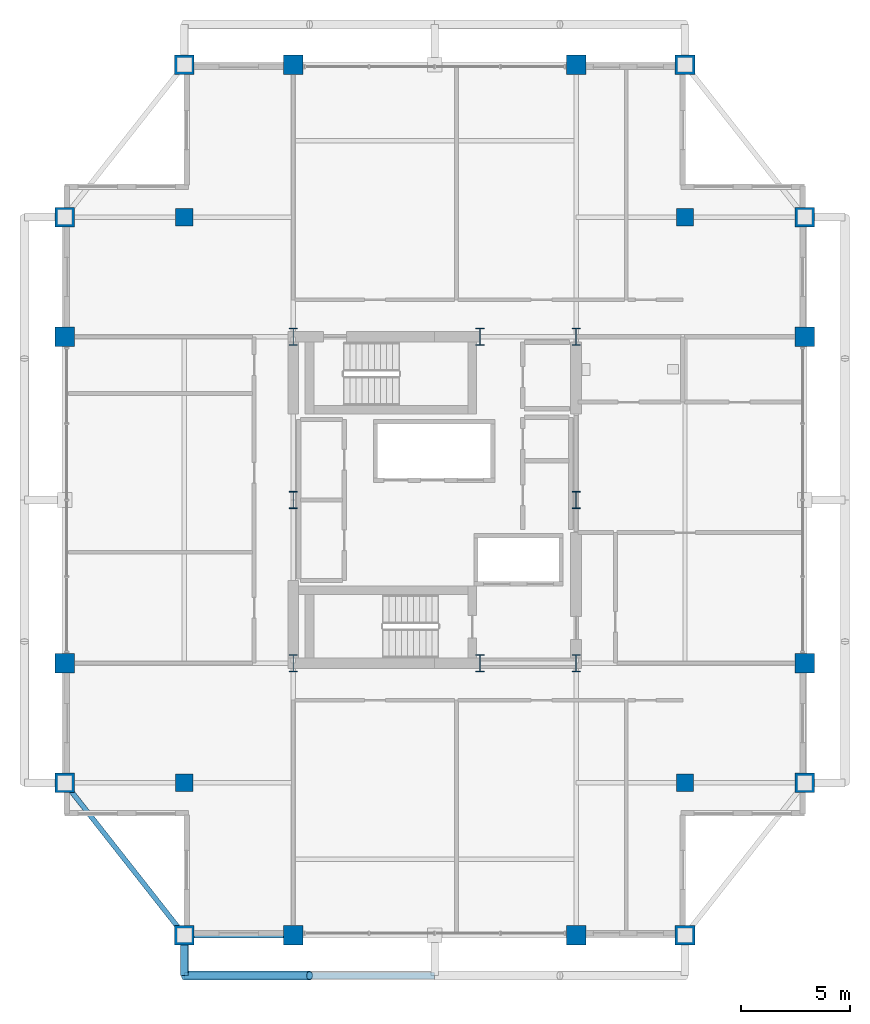
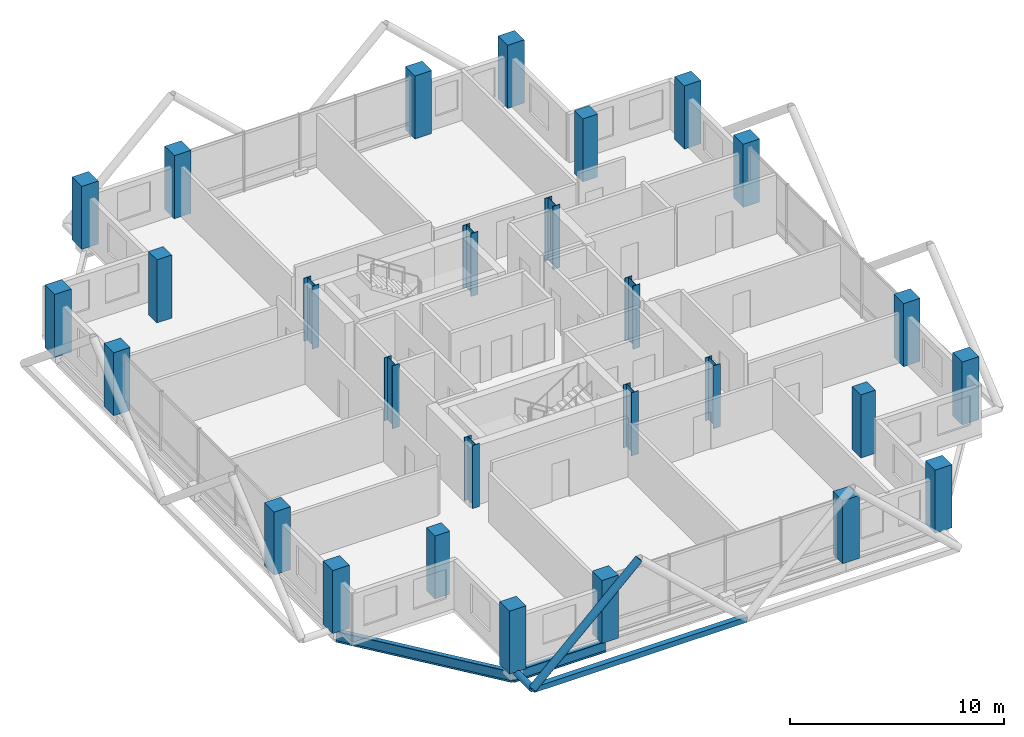
# One storey, part 1 of 24: 28 columns, 3 members, 2 beams.
"""IFC4 building model written with IfcOpenShell, lengths in metres."""

from ifc_helpers import new_model, si_unit, direction, frame, origin, origin_2d, place, context, subcontext, project, spatial, rectangle, hollow_rectangle, hollow_circle, i_section, extrude, material, material_profile, profile_set, type_object, element, save


model = new_model("IFC4")

# Units and contexts
model_context = context("Model", 3, precision=1e-05, world=origin(), true_north=direction((0.0, 1.0)))
body_context = subcontext(model_context, "Body", "Model", "MODEL_VIEW")
ifc_project = project(units=[si_unit("LENGTHUNIT", "METRE"), si_unit("AREAUNIT", "SQUARE_METRE"), si_unit("VOLUMEUNIT", "CUBIC_METRE"), si_unit("PLANEANGLEUNIT", "RADIAN"), si_unit("MASSUNIT", "GRAM", prefix="KILO")], contexts=[model_context])

# Site, building, storey
site_placement = place(None, origin())
site = spatial("IfcSite", under=ifc_project, at=site_placement, CompositionType="ELEMENT")
building_placement = place(site_placement, origin())
building = spatial("IfcBuilding", under=site, at=building_placement, Name="Barlavira Tower and Art Museum", CompositionType="ELEMENT")
storey_placement = place(building_placement, frame((0.0, 0.0, 272.699951171875)))
storey = spatial("IfcBuildingStorey", under=building, at=storey_placement, Name="L71", CompositionType="ELEMENT", Elevation=272.699951171875)

# Columns
ifc_material_1 = material(Name="Steel S355", Category="steel")
ifc_material_profile_1 = material_profile(ifc_material_1, i_section(OverallWidth=0.382080078125, OverallDepth=0.785888671875, WebThickness=0.02001953125, FlangeThickness=0.032958984375, at=origin_2d()), Name="W760x314.0")
ifc_profile_set_1 = profile_set([ifc_material_profile_1], Name="Steel S355")
column_type_1 = type_object("IfcColumnType", Name="Core Composite Column W760x314 Steel S355", PredefinedType="COLUMN", material=ifc_profile_set_1)
for number, where, z_axis, x_axis, name in (
    (1, (-6.5, -7.5, 0.0), (0.0, 0.0, 1.0), (1.0, 0.0, 0.0), "L71 Column CC-L71-C1"),
    (2, (2.080078125, -7.5, 0.0), (0.0, 0.0, 1.0), (1.0, 0.0, 0.0), "L71 Column CC-L71-C2"),
    (3, (6.5, -7.5, 0.0), (0.0, 0.0, 1.0), (1.0, 0.0, 0.0), "L71 Column CC-L71-C3"),
    (4, (-6.5, 0.0, 0.0), (0.0, 0.0, 1.0), (1.0, 0.0, 0.0), "L71 Column CC-L71-C4"),
    (5, (6.5, 0.0, 0.0), (0.0, 0.0, 1.0), (1.0, 0.0, 0.0), "L71 Column CC-L71-C5"),
    (6, (-6.5, 7.5, 0.0), (0.0, 0.0, 1.0), (1.0, 0.0, 0.0), "L71 Column CC-L71-C6"),
    (7, (2.080078125, 7.5, 0.0), (0.0, 0.0, 1.0), (1.0, 0.0, 0.0), "L71 Column CC-L71-C7"),
    (8, (6.5, 7.5, 0.0), (0.0, 0.0, 1.0), (1.0, 0.0, 0.0), "L71 Column CC-L71-C8"),
):
    element("IfcColumn", number, at=place(storey_placement, frame(where, z_axis=z_axis, x_axis=x_axis)), inside=storey, type_object=column_type_1, Name=name, PredefinedType="COLUMN", context=body_context, shape_type="SweptSolid", body=[
        extrude(i_section(OverallWidth=0.382080078125, OverallDepth=0.785888671875, WebThickness=0.02001953125, FlangeThickness=0.032958984375, at=origin_2d()), origin(), (0.0, 0.0, 1.0), 3.60009765625),
    ])
ifc_material_2 = material(Name="Concrete C50", Category="concrete")
ifc_material_profile_2 = material_profile(ifc_material_2, rectangle(XDim=0.89990234375, YDim=0.89990234375, at=origin_2d()), Name="RC-COL 900x900")
ifc_profile_set_2 = profile_set([ifc_material_profile_2], Name="Concrete C50")
column_type_2 = type_object("IfcColumnType", Name="Perimeter Mega Column 900x900 Concrete C50", PredefinedType="USERDEFINED", material=ifc_profile_set_2)
for number, where, z_axis, x_axis, name in (
    (9, (-11.5, -20.0, 0.0), (0.0, 0.0, 1.0), (1.0, 0.0, 0.0), "L71 Column MC-L71-M01"),
    (10, (-6.5, -20.0, 0.0), (0.0, 0.0, 1.0), (1.0, 0.0, 0.0), "L71 Column MC-L71-M02"),
    (11, (6.5, -20.0, 0.0), (0.0, 0.0, 1.0), (1.0, 0.0, 0.0), "L71 Column MC-L71-M03"),
    (12, (11.5, -20.0, 0.0), (0.0, 0.0, 1.0), (1.0, 0.0, 0.0), "L71 Column MC-L71-M04"),
    (13, (17.0, -13.0, 0.0), (0.0, 0.0, 1.0), (1.0, 0.0, 0.0), "L71 Column MC-L71-M05"),
    (14, (17.0, -7.5, 0.0), (0.0, 0.0, 1.0), (1.0, 0.0, 0.0), "L71 Column MC-L71-M06"),
    (15, (17.0, 7.5, 0.0), (0.0, 0.0, 1.0), (1.0, 0.0, 0.0), "L71 Column MC-L71-M07"),
    (16, (17.0, 13.0, 0.0), (0.0, 0.0, 1.0), (1.0, 0.0, 0.0), "L71 Column MC-L71-M08"),
    (17, (11.5, 20.0, 0.0), (0.0, 0.0, 1.0), (1.0, 0.0, 0.0), "L71 Column MC-L71-M09"),
    (18, (6.5, 20.0, 0.0), (0.0, 0.0, 1.0), (1.0, 0.0, 0.0), "L71 Column MC-L71-M10"),
    (19, (-6.5, 20.0, 0.0), (0.0, 0.0, 1.0), (1.0, 0.0, 0.0), "L71 Column MC-L71-M11"),
    (20, (-11.5, 20.0, 0.0), (0.0, 0.0, 1.0), (1.0, 0.0, 0.0), "L71 Column MC-L71-M12"),
    (21, (-17.0, 13.0, 0.0), (0.0, 0.0, 1.0), (1.0, 0.0, 0.0), "L71 Column MC-L71-M13"),
    (22, (-17.0, 7.5, 0.0), (0.0, 0.0, 1.0), (1.0, 0.0, 0.0), "L71 Column MC-L71-M14"),
    (23, (-17.0, -7.5, 0.0), (0.0, 0.0, 1.0), (1.0, 0.0, 0.0), "L71 Column MC-L71-M15"),
    (24, (-17.0, -13.0, 0.0), (0.0, 0.0, 1.0), (1.0, 0.0, 0.0), "L71 Column MC-L71-M16"),
):
    element("IfcColumn", number, at=place(storey_placement, frame(where, z_axis=z_axis, x_axis=x_axis)), inside=storey, type_object=column_type_2, Name=name, ObjectType="MEGA COLUMN", PredefinedType="USERDEFINED", context=body_context, shape_type="SweptSolid", body=[
        extrude(rectangle(XDim=0.89990234375, YDim=0.89990234375, at=origin_2d()), origin(), (0.0, 0.0, 1.0), 3.60009765625),
    ])
ifc_material_profile_3 = material_profile(ifc_material_2, rectangle(XDim=0.800048828125, YDim=0.800048828125, at=origin_2d()), Name="RC-COL 800x800")
ifc_profile_set_3 = profile_set([ifc_material_profile_3], Name="Concrete C50")
column_type_3 = type_object("IfcColumnType", Name="Podium Frame Column 800x800 Concrete C50", PredefinedType="COLUMN", material=ifc_profile_set_3)
for number, where, z_axis, x_axis, name in (
    (25, (-11.5, -13.0, 0.0), (0.0, 0.0, 1.0), (1.0, 0.0, 0.0), "L71 Column CI-L71-I1"),
    (26, (11.5, -13.0, 0.0), (0.0, 0.0, 1.0), (1.0, 0.0, 0.0), "L71 Column CI-L71-I2"),
    (27, (-11.5, 13.0, 0.0), (0.0, 0.0, 1.0), (1.0, 0.0, 0.0), "L71 Column CI-L71-I3"),
    (28, (11.5, 13.0, 0.0), (0.0, 0.0, 1.0), (1.0, 0.0, 0.0), "L71 Column CI-L71-I4"),
):
    element("IfcColumn", number, at=place(storey_placement, frame(where, z_axis=z_axis, x_axis=x_axis)), inside=storey, type_object=column_type_3, Name=name, PredefinedType="COLUMN", context=body_context, shape_type="SweptSolid", body=[
        extrude(rectangle(XDim=0.800048828125, YDim=0.800048828125, at=origin_2d()), origin(), (0.0, 0.0, 1.0), 3.60009765625),
    ])

# Members
ifc_material_profile_4 = material_profile(ifc_material_1, hollow_circle(Radius=0.203125, WallThickness=0.01611328125, at=origin_2d()), Name="CHS 406.4x16.0")
ifc_profile_set_4 = profile_set([ifc_material_profile_4], Name="Steel S355")
member_type_1 = type_object("IfcMemberType", Name="Pale-Metal Exoskeleton Diagrid Tube CHS 406x16 Steel S355", PredefinedType="BRACE", material=ifc_profile_set_4)
member_1_placement = place(storey_placement, frame((-11.5, -21.85009765625, -0.119873046875), z_axis=(0.728950095515, 0.0, 0.684566839869), x_axis=(0.0, 1.0, 0.0)))
element("IfcMember", 29, at=member_1_placement, inside=storey, type_object=member_type_1, Name="L71 Exoskeleton Diagrid Tube S", PredefinedType="BRACE", context=body_context, shape_type="SweptSolid", body=[
    extrude(hollow_circle(Radius=0.203125, WallThickness=0.01611328125, at=origin_2d()), origin(), (0.0, 0.0, 1.0), 7.887939453125),
])
ifc_material_profile_5 = material_profile(ifc_material_1, hollow_circle(Radius=0.177734375, WallThickness=0.01611328125, at=origin_2d()), Name="CHS 355.6x16.0")
ifc_profile_set_5 = profile_set([ifc_material_profile_5], Name="Steel S355")
member_type_2 = type_object("IfcMemberType", Name="Pale-Metal Exoskeleton Tie Strut CHS 356x16 Steel S355", PredefinedType="STRUT", material=ifc_profile_set_5)
member_2_placement = place(storey_placement, frame((-11.5, -21.85009765625, -0.119873046875), z_axis=(0.0, 1.0, 0.0), x_axis=(-1.0, 0.0, 0.0)))
element("IfcMember", 30, at=member_2_placement, inside=storey, type_object=member_type_2, Name="L71 Exoskeleton Tie Strut S1", PredefinedType="STRUT", context=body_context, shape_type="SweptSolid", body=[
    extrude(hollow_circle(Radius=0.177734375, WallThickness=0.01611328125, at=origin_2d()), origin(), (0.0, 0.0, 1.0), 1.85009765625),
])
ifc_material_profile_6 = material_profile(ifc_material_1, hollow_rectangle(XDim=0.300048828125, YDim=0.300048828125, WallThickness=0.01611328125, at=origin_2d()), Name="SHS 300x300x16.0")
ifc_profile_set_6 = profile_set([ifc_material_profile_6], Name="Steel S355")
member_type_3 = type_object("IfcMemberType", Name="Pale-Metal Upper Ring Strut SHS 300x300x16 Steel S355", PredefinedType="STRUT", material=ifc_profile_set_6)
member_3_placement = place(storey_placement, frame((-11.5, -21.85009765625, -0.119873046875), z_axis=(1.0, 0.0, 0.0), x_axis=(0.0, 1.0, 0.0)))
element("IfcMember", 31, at=member_3_placement, inside=storey, type_object=member_type_3, Name="L71 Exoskeleton Ring Strut S", PredefinedType="STRUT", context=body_context, shape_type="SweptSolid", body=[
    extrude(hollow_rectangle(XDim=0.300048828125, YDim=0.300048828125, WallThickness=0.01611328125, at=origin_2d()), origin(), (0.0, 0.0, 1.0), 11.5),
])

# Beams
ifc_material_profile_7 = material_profile(ifc_material_1, i_section(OverallWidth=0.22998046875, OverallDepth=0.616943359375, WebThickness=0.01318359375, FlangeThickness=0.022216796875, at=origin_2d()), Name="W610x140.0")
ifc_profile_set_7 = profile_set([ifc_material_profile_7], Name="Steel S355")
beam_type = type_object("IfcBeamType", Name="Upper Shaft Spandrel Edge Beam W610x140 Steel S355", PredefinedType="SPANDREL", material=ifc_profile_set_7)
beam_1_placement = place(storey_placement, frame((-11.5, -20.0, -0.528564453125), z_axis=(1.0, 0.0, 0.0), x_axis=(0.0, 1.0, 0.0)))
element("IfcBeam", 32, at=beam_1_placement, inside=storey, type_object=beam_type, Name="L71 Spandrel 1", PredefinedType="SPANDREL", context=body_context, shape_type="SweptSolid", body=[
    extrude(i_section(OverallWidth=0.22998046875, OverallDepth=0.616943359375, WebThickness=0.01318359375, FlangeThickness=0.022216796875, at=origin_2d()), origin(), (0.0, 0.0, 1.0), 5.0),
])
beam_2_placement = place(storey_placement, frame((-17.0, -13.0, -0.528564453125), z_axis=(0.617821551932, -0.786318338822, 0.0), x_axis=(0.786318338822, 0.617821551932, 0.0)))
element("IfcBeam", 33, at=beam_2_placement, inside=storey, type_object=beam_type, Name="L71 Spandrel 16", PredefinedType="SPANDREL", context=body_context, shape_type="SweptSolid", body=[
    extrude(i_section(OverallWidth=0.22998046875, OverallDepth=0.616943359375, WebThickness=0.01318359375, FlangeThickness=0.022216796875, at=origin_2d()), origin(), (0.0, 0.0, 1.0), 8.90234375),
])

save(model, "model.ifc")
